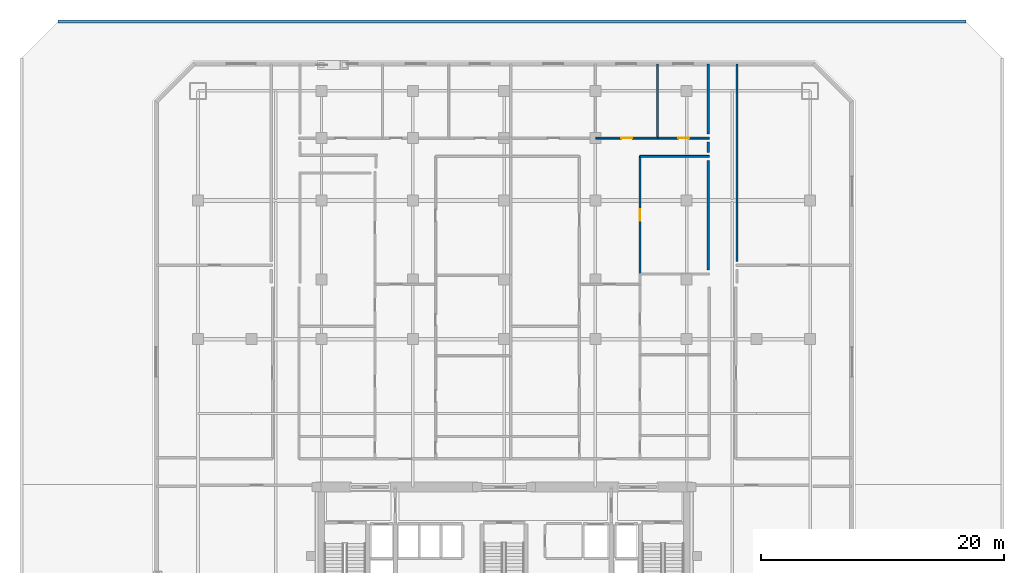
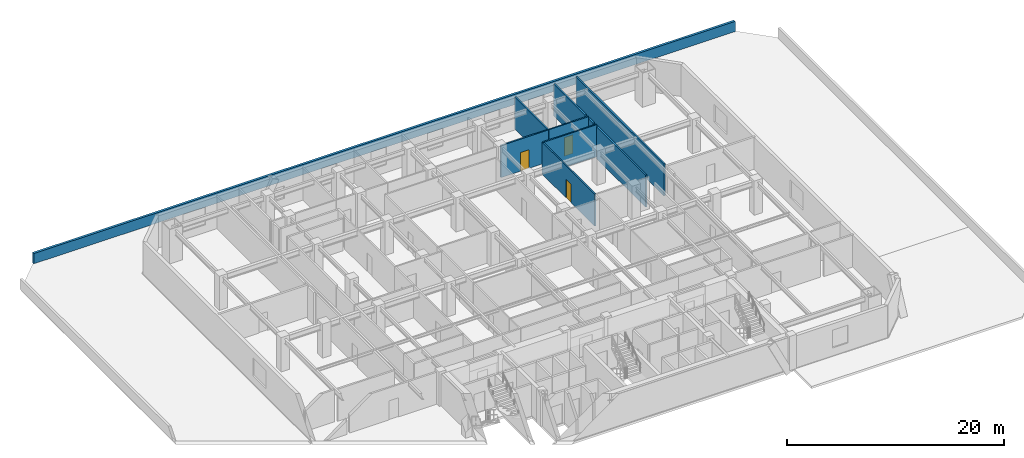
# One storey, part 9 of 11: 10 walls, 3 doors, 3 openings.
"""IFC4 building model written with IfcOpenShell, lengths in metres."""

from ifc_helpers import new_model, si_unit, direction, frame, frame_2d, origin, place, context, subcontext, project, spatial, rectangle, extrude, material, layer, layer_set, type_object, element, fill, save


model = new_model("IFC4")

# Units and contexts
model_context = context("Model", 3, precision=1e-05, world=origin(), true_north=direction((0.0, 1.0)))
body_context = subcontext(model_context, "Body", "Model", "MODEL_VIEW")
ifc_project = project(units=[si_unit("LENGTHUNIT", "METRE"), si_unit("AREAUNIT", "SQUARE_METRE"), si_unit("VOLUMEUNIT", "CUBIC_METRE"), si_unit("PLANEANGLEUNIT", "RADIAN"), si_unit("MASSUNIT", "GRAM", prefix="KILO")], contexts=[model_context])

# Site, building, storey
site_placement = place(None, origin())
site = spatial("IfcSite", under=ifc_project, at=site_placement, CompositionType="ELEMENT")
building_placement = place(site_placement, origin())
building = spatial("IfcBuilding", under=site, at=building_placement, Name="Ventersveld Concourse Tower", CompositionType="ELEMENT")
storey_placement = place(building_placement, frame((0.0, 0.0, 29.800048828125)))
storey = spatial("IfcBuildingStorey", under=building, at=storey_placement, Name="L06", CompositionType="ELEMENT", Elevation=29.800048828125)

# Walls
ifc_material_1 = material(Name="Fire-rated autoclaved aerated masonry blockwork", Category="masonry")
ifc_layer_1 = layer(ifc_material_1, 0.179931640625)
ifc_layer_set_1 = layer_set([ifc_layer_1], Name="Fire-rated autoclaved aerated masonry blockwork")
wall_type_1 = type_object("IfcWallType", Name="WL-CORR-180", PredefinedType="PARTITIONING", material=ifc_layer_set_1)
wall_1_placement = place(storey_placement, frame((47.8798828125, 29.9951171875, 0.0), z_axis=(0.0, 0.0, 1.0), x_axis=(0.0, 1.0, 0.0)))
element("IfcWall", 1, at=wall_1_placement, inside=storey, type_object=wall_type_1, Name="L06 Room Enclosure Wall SP-L06-NELNG2", PredefinedType="PARTITIONING", context=body_context, shape_type="SweptSolid", body=[
    extrude(rectangle(XDim=16.19482421875, YDim=0.179931640625, at=frame_2d((8.097412109375, 0.0))), origin(), (0.0, 0.0, 1.0), 3.599853515625),
])
wall_2_placement = place(storey_placement, frame((45.52001953125, 39.794921875, 0.0), z_axis=(0.0, 0.0, 1.0), x_axis=(0.0, -1.0, 0.0)))
element("IfcWall", 2, at=wall_2_placement, inside=storey, type_object=wall_type_1, Name="L06 Room Enclosure Wall SP-L06-06N2-LIV", PredefinedType="PARTITIONING", context=body_context, shape_type="SweptSolid", body=[
    extrude(rectangle(XDim=0.849853515625, YDim=0.179931640625, at=frame_2d((0.4248046875, 0.0))), origin(), (0.0, 0.0, 1.0), 3.599853515625),
])
wall_3_placement = place(storey_placement, frame((45.52001953125, 38.294921875, 0.0), z_axis=(0.0, 0.0, 1.0), x_axis=(0.0, -1.0, 0.0)))
element("IfcWall", 3, at=wall_3_placement, inside=storey, type_object=wall_type_1, Name="L06 Room Enclosure Wall SP-L06-06N2-DENS2", PredefinedType="PARTITIONING", context=body_context, shape_type="SweptSolid", body=[
    extrude(rectangle(XDim=9.01220703125, YDim=0.179931640625, at=frame_2d((4.506103515625, 0.0))), origin(), (0.0, 0.0, 1.0), 3.599853515625),
])
wall_4_placement = place(storey_placement, frame((45.52001953125, 46.18994140625, 0.0), z_axis=(0.0, 0.0, 1.0), x_axis=(0.0, -1.0, 0.0)))
element("IfcWall", 4, at=wall_4_placement, inside=storey, type_object=wall_type_1, Name="L06 Room Enclosure Wall SP-L06-06N2-BR3", PredefinedType="PARTITIONING", context=body_context, shape_type="SweptSolid", body=[
    extrude(rectangle(XDim=5.744873046875, YDim=0.179931640625, at=frame_2d((2.87255859375, 0.0))), origin(), (0.0, 0.0, 1.0), 3.599853515625),
])

# Wall, opening, door
ifc_material_2 = material(Name="Autoclaved aerated masonry blockwork", Category="masonry")
ifc_layer_2 = layer(ifc_material_2, 0.14990234375)
ifc_layer_set_2 = layer_set([ifc_layer_2], Name="Autoclaved aerated masonry blockwork")
wall_type_2 = type_object("IfcWallType", Name="WL-INT-150", PredefinedType="PARTITIONING", material=ifc_layer_set_2)
wall_5_placement = place(storey_placement, frame((39.91845703125, 28.99267578125, 0.0), z_axis=(0.0, 0.0, 1.0), x_axis=(0.0, 1.0, 0.0)))
wall_5 = element("IfcWall", 5, at=wall_5_placement, inside=storey, type_object=wall_type_2, Name="L06 Interior Partition SP-L06-06N2-LIV-SP-L06-06N2-DENS2", PredefinedType="PARTITIONING", context=body_context, shape_type="SweptSolid", body=[
    extrude(rectangle(XDim=9.63232421875, YDim=0.14990234375, at=frame_2d((4.816162109375, 0.0))), origin(), (0.0, 0.0, 1.0), 3.599853515625),
])
opening_1_placement = place(wall_5_placement, frame((4.356201171875, 0.0, 0.0)))
opening_1 = element("IfcOpeningElement", 6, at=opening_1_placement, cuts=wall_5, Name="Opening ID1", PredefinedType="OPENING", context=body_context, shape_type="SweptSolid", body=[
    extrude(rectangle(XDim=0.919921875, YDim=2.10009765625, at=frame_2d((0.4599609375, 1.050048828125))), frame((0.0, 0.0849609375, 0.0), z_axis=(0.0, -1.0, 0.0), x_axis=(1.0, 0.0, 0.0)), (0.0, 0.0, 1.0), 0.169921875),
])
ifc_material_3 = material(Name="Solid-core hardwood veneer timber", Category="wood")
door_type = type_object("IfcDoorType", Name="DR-ROOM-092", OperationType="NOTDEFINED", PredefinedType="DOOR", material=ifc_material_3)
door_1_placement = place(opening_1_placement, origin())
door_1 = element("IfcDoor", 7, at=door_1_placement, inside=storey, type_object=door_type, Name="L06 Interior Door SP-L06-06N2-LIV to SP-L06-06N2-DENS2 (D-L06-0213)", OperationType="SINGLE_SWING_LEFT", OverallHeight=2.10009765625, OverallWidth=0.919921875, PredefinedType="DOOR", context=body_context, shape_type="SweptSolid", body=[
    extrude(rectangle(XDim=0.919921875, YDim=2.10009765625, at=frame_2d((0.4599609375, 1.050048828125))), frame((0.0, 0.02490234375, 0.0), z_axis=(0.0, -1.0, 0.0), x_axis=(1.0, 0.0, 0.0)), (0.0, 0.0, 1.0), 0.050048828125),
])
fill(opening_1, door_1)

# Wall
wall_6_placement = place(storey_placement, frame((39.91357421875, 38.6201171875, 0.0), z_axis=(0.0, 0.0, 1.0), x_axis=(1.0, 0.0, 0.0)))
element("IfcWall", 8, at=wall_6_placement, inside=storey, type_object=wall_type_2, Name="L06 Interior Partition SP-L06-06N2-LIV-SP-L06-06N2-DENS2", PredefinedType="PARTITIONING", context=body_context, shape_type="SweptSolid", body=[
    extrude(rectangle(XDim=5.701416015625, YDim=0.14990234375, at=frame_2d((2.8505859375, 0.0))), origin(), (0.0, 0.0, 1.0), 3.599853515625),
])

# Wall, opening, door
wall_7_placement = place(storey_placement, frame((36.284912109375, 40.1201171875, 0.0), z_axis=(0.0, 0.0, 1.0), x_axis=(1.0, 0.0, 0.0)))
wall_7 = element("IfcWall", 9, at=wall_7_placement, inside=storey, type_object=wall_type_2, Name="L06 Interior Partition SP-L06-06N2-LIV-SP-L06-06N2-BR2", PredefinedType="PARTITIONING", context=body_context, shape_type="SweptSolid", body=[
    extrude(rectangle(XDim=5.07373046875, YDim=0.14990234375, at=frame_2d((2.536865234375, 0.0))), origin(), (0.0, 0.0, 1.0), 3.599853515625),
])
opening_2_placement = place(wall_7_placement, frame((2.076904296875, 0.0, 0.0)))
opening_2 = element("IfcOpeningElement", 10, at=opening_2_placement, cuts=wall_7, Name="Opening ID1", PredefinedType="OPENING", context=body_context, shape_type="SweptSolid", body=[
    extrude(rectangle(XDim=0.919921875, YDim=2.10009765625, at=frame_2d((0.4599609375, 1.050048828125))), frame((0.0, 0.0849609375, 0.0), z_axis=(0.0, -1.0, 0.0), x_axis=(1.0, 0.0, 0.0)), (0.0, 0.0, 1.0), 0.169921875),
])
door_2_placement = place(opening_2_placement, origin())
door_2 = element("IfcDoor", 11, at=door_2_placement, inside=storey, type_object=door_type, Name="L06 Interior Door SP-L06-06N2-LIV to SP-L06-06N2-BR2 (D-L06-0215)", OperationType="SINGLE_SWING_LEFT", OverallHeight=2.10009765625, OverallWidth=0.919921875, PredefinedType="DOOR", context=body_context, shape_type="SweptSolid", body=[
    extrude(rectangle(XDim=0.919921875, YDim=2.10009765625, at=frame_2d((0.4599609375, 1.050048828125))), frame((0.0, 0.02490234375, 0.0), z_axis=(0.0, -1.0, 0.0), x_axis=(1.0, 0.0, 0.0)), (0.0, 0.0, 1.0), 0.050048828125),
])
fill(opening_2, door_2)

wall_8_placement = place(storey_placement, frame((41.388671875, 40.1201171875, 0.0), z_axis=(0.0, 0.0, 1.0), x_axis=(1.0, 0.0, 0.0)))
wall_8 = element("IfcWall", 12, at=wall_8_placement, inside=storey, type_object=wall_type_2, Name="L06 Interior Partition SP-L06-06N2-LIV-SP-L06-06N2-BR3", PredefinedType="PARTITIONING", context=body_context, shape_type="SweptSolid", body=[
    extrude(rectangle(XDim=4.226318359375, YDim=0.14990234375, at=frame_2d((2.11328125, 0.0))), origin(), (0.0, 0.0, 1.0), 3.599853515625),
])
opening_3_placement = place(wall_8_placement, frame((1.6533203125, 0.0, 0.0)))
opening_3 = element("IfcOpeningElement", 13, at=opening_3_placement, cuts=wall_8, Name="Opening ID1", PredefinedType="OPENING", context=body_context, shape_type="SweptSolid", body=[
    extrude(rectangle(XDim=0.919921875, YDim=2.10009765625, at=frame_2d((0.4599609375, 1.050048828125))), frame((0.0, 0.0849609375, 0.0), z_axis=(0.0, -1.0, 0.0), x_axis=(1.0, 0.0, 0.0)), (0.0, 0.0, 1.0), 0.169921875),
])
door_3_placement = place(opening_3_placement, origin())
door_3 = element("IfcDoor", 14, at=door_3_placement, inside=storey, type_object=door_type, Name="L06 Interior Door SP-L06-06N2-LIV to SP-L06-06N2-BR3 (D-L06-0216)", OperationType="SINGLE_SWING_RIGHT", OverallHeight=2.10009765625, OverallWidth=0.919921875, PredefinedType="DOOR", context=body_context, shape_type="SweptSolid", body=[
    extrude(rectangle(XDim=0.919921875, YDim=2.10009765625, at=frame_2d((0.4599609375, 1.050048828125))), frame((0.0, 0.02490234375, 0.0), z_axis=(0.0, -1.0, 0.0), x_axis=(1.0, 0.0, 0.0)), (0.0, 0.0, 1.0), 0.050048828125),
])
fill(opening_3, door_3)

# Walls
wall_9_placement = place(storey_placement, frame((41.353759765625, 40.114990234375, 0.0), z_axis=(0.0, 0.0, 1.0), x_axis=(0.0, 1.0, 0.0)))
element("IfcWall", 15, at=wall_9_placement, inside=storey, type_object=wall_type_2, Name="L06 Interior Partition SP-L06-06N2-BR2-SP-L06-06N2-BR3", PredefinedType="PARTITIONING", context=body_context, shape_type="SweptSolid", body=[
    extrude(rectangle(XDim=6.074951171875, YDim=0.14990234375, at=frame_2d((3.03759765625, 0.0))), origin(), (0.0, 0.0, 1.0), 3.599853515625),
])
ifc_material_4 = material(Name="Precast concrete C45/55", Category="concrete")
ifc_layer_3 = layer(ifc_material_4, 0.25)
ifc_layer_set_3 = layer_set([ifc_layer_3], Name="Precast concrete C45/55")
wall_type_3 = type_object("IfcWallType", Name="WL-PARA-250", PredefinedType="PARAPET", material=ifc_layer_set_3)
wall_10_placement = place(storey_placement, frame((66.699951171875, 49.699951171875, 0.0), z_axis=(0.0, 0.0, 1.0), x_axis=(-1.0, 0.0, 0.0)))
element("IfcWall", 16, at=wall_10_placement, inside=storey, type_object=wall_type_3, Name="L06 Setback Roof Parapet Wall 3", PredefinedType="PARAPET", context=body_context, shape_type="SweptSolid", body=[
    extrude(rectangle(XDim=74.599853515625, YDim=0.25, at=frame_2d((37.2998046875, 0.0))), origin(), (0.0, 0.0, 1.0), 1.14990234375),
])

save(model, "model.ifc")
